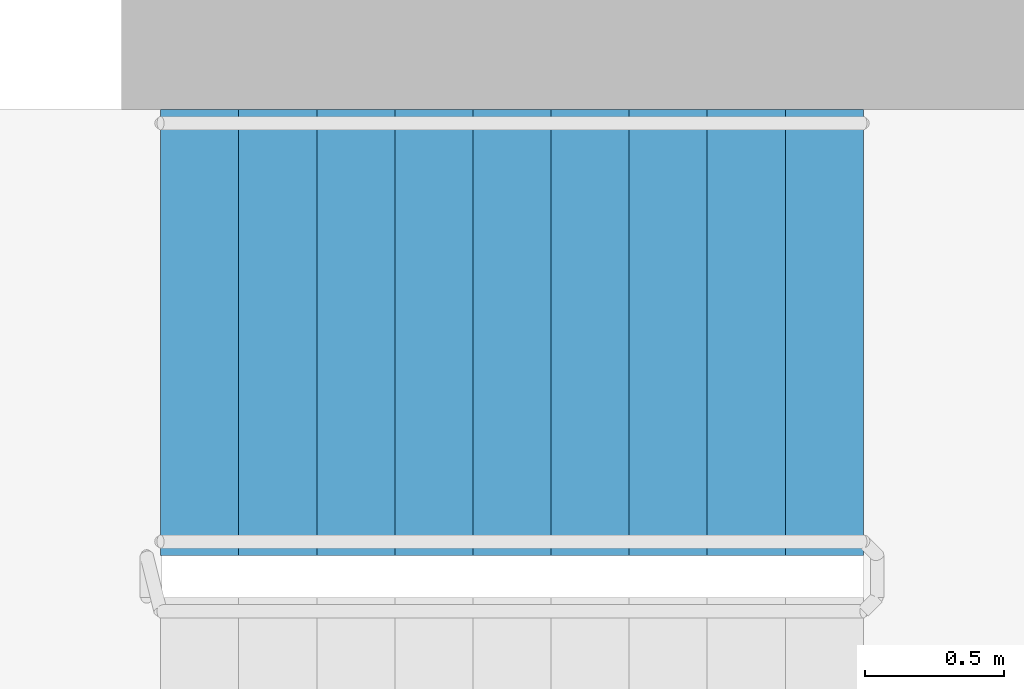
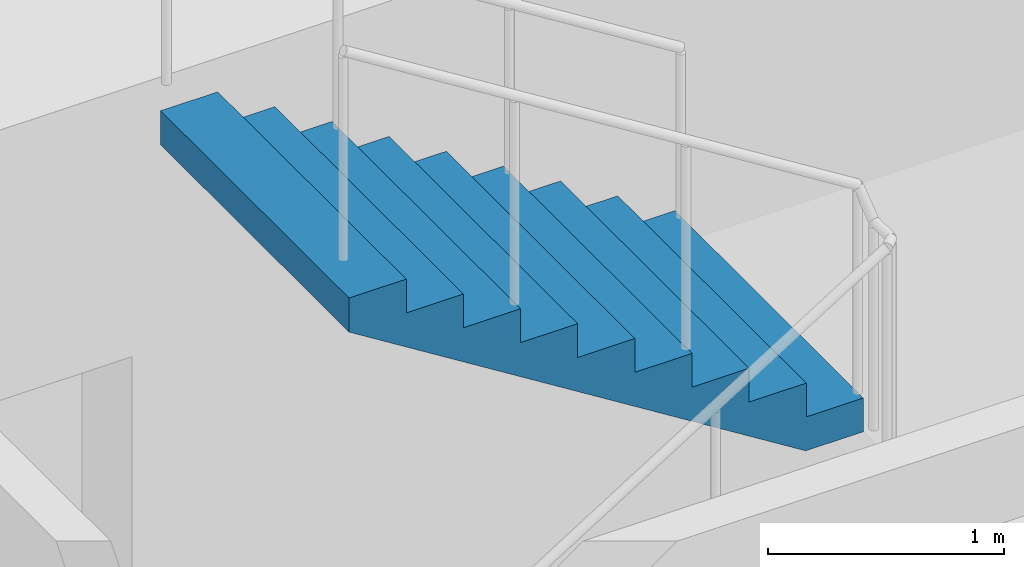
# One storey, part 23 of 27: 1 stair flight, 1 element without a shape of its own.
"""IFC4 building model written with IfcOpenShell, lengths in metres."""

import ifcopenshell
import ifcopenshell.guid

model = None  # the IFC model being written
_history = None  # IfcOwnerHistory: only IFC2X3 demands one
_inside = {}  # id of a spatial element -> (the spatial element, [elements in it])
_under = {}  # id of a project, library or spatial element -> (it, [spatial elements below it])
_declared = {}  # id of a project -> (the project, [libraries it declares])
_typed = {}  # id of a type object -> (the type object, [elements of that type])
_made_of = {}  # id of a material, layer set ... -> (it, [elements and type objects made of it])


def new_model(schema):
    """Start an empty IFC model of exactly this schema.

    Asked for "IFC4X3", IfcOpenShell would pick the latest addendum, in which some entities
    have other attributes; the version numbers below select the first issue.
    IFC2X3 requires an IfcOwnerHistory on every rooted entity: one is made here for all.
    """
    global model, _history
    if schema == "IFC4X3":
        model = ifcopenshell.file(schema_version=(4, 3, 0, 0))
    else:
        model = ifcopenshell.file(schema=schema)
    _inside.clear()
    _under.clear()
    _declared.clear()
    _typed.clear()
    _made_of.clear()
    _history = None
    if model.schema == "IFC2X3":
        org = make("IfcOrganization", Name="unknown")
        user = make(
            "IfcPersonAndOrganization",
            ThePerson=make("IfcPerson", FamilyName="unknown"),
            TheOrganization=org,
        )
        app = make(
            "IfcApplication",
            ApplicationDeveloper=org,
            Version="unknown",
            ApplicationFullName="unknown",
            ApplicationIdentifier="unknown",
        )
        _history = make(
            "IfcOwnerHistory",
            OwningUser=user,
            OwningApplication=app,
            ChangeAction="ADDED",
            CreationDate=0,
        )
    return model


def make(cls, **values):
    """One entity of the class cls with the attributes given. An attribute that is None is left unset."""
    return model.create_entity(
        cls, **{name: value for name, value in values.items() if value is not None}
    )


def rooted(cls, **values):
    """An entity with a GlobalId (a new one), such as an element, a storey or a relation."""
    return make(cls, GlobalId=ifcopenshell.guid.new(), OwnerHistory=_history, **values)


def si_unit(unit_type, name, prefix=None):
    """IfcSIUnit, for example si_unit("LENGTHUNIT", "METRE", prefix="MILLI")."""
    return make("IfcSIUnit", UnitType=unit_type, Prefix=prefix, Name=name)


def assignment(units):
    """IfcUnitAssignment: the units of a project."""
    return None if units is None else make("IfcUnitAssignment", Units=units)


def point(xyz):
    """IfcCartesianPoint."""
    return None if xyz is None else make("IfcCartesianPoint", Coordinates=xyz)


def direction(xyz):
    """IfcDirection."""
    return None if xyz is None else make("IfcDirection", DirectionRatios=xyz)


def frame(location, z_axis=None, x_axis=None):
    """IfcAxis2Placement3D, a coordinate frame: its origin and axes. An axis left out is left unset."""
    return make(
        "IfcAxis2Placement3D",
        Location=point(location),
        Axis=direction(z_axis),
        RefDirection=direction(x_axis),
    )


def origin():
    """The frame at (0, 0, 0) with its axes left unset."""
    return frame((0.0, 0.0, 0.0))


def place(relative_to, where):
    """IfcLocalPlacement: puts the frame where relative to a parent placement (None: the world)."""
    return make(
        "IfcLocalPlacement", PlacementRelTo=relative_to, RelativePlacement=where
    )


def context(
    kind, dimensions, precision=None, world=None, true_north=None, identifier=None
):
    """IfcGeometricRepresentationContext, for example the 3D "Model" context."""
    return make(
        "IfcGeometricRepresentationContext",
        ContextIdentifier=identifier,
        ContextType=kind,
        CoordinateSpaceDimension=dimensions,
        Precision=precision,
        WorldCoordinateSystem=world,
        TrueNorth=true_north,
    )


def subcontext(parent, identifier, kind, view, scale=None):
    """IfcGeometricRepresentationSubContext, for example "Body" below "Model"."""
    return make(
        "IfcGeometricRepresentationSubContext",
        ContextIdentifier=identifier,
        ContextType=kind,
        ParentContext=parent,
        TargetScale=scale,
        TargetView=view,
    )


def project(units=None, contexts=None):
    """IfcProject with its units and contexts."""
    return rooted(
        "IfcProject",
        Name="project",
        RepresentationContexts=contexts,
        UnitsInContext=assignment(units),
    )


def spatial(cls, under=None, at=None, **own):
    """A site, building, storey or space (cls), placed at a placement, below another one or the project."""
    s = rooted(cls, ObjectPlacement=at, **own)
    if under is not None:
        _under.setdefault(under.id(), (under, []))[1].append(s)
    return s


def polyline(points):
    """IfcPolyline through the points."""
    return make("IfcPolyline", Points=[point(p) for p in points])


def outline(outer, holes=None, kind="AREA"):
    """IfcArbitraryClosedProfileDef: a profile drawn as a closed curve; with holes, ...WithVoids."""
    if holes is None:
        return make("IfcArbitraryClosedProfileDef", ProfileType=kind, OuterCurve=outer)
    return make(
        "IfcArbitraryProfileDefWithVoids",
        ProfileType=kind,
        OuterCurve=outer,
        InnerCurves=holes,
    )


def extrude(swept, where, along, depth):
    """IfcExtrudedAreaSolid: the profile swept, set in the frame where, extruded along a direction by depth."""
    return make(
        "IfcExtrudedAreaSolid",
        SweptArea=swept,
        Position=where,
        ExtrudedDirection=direction(along),
        Depth=depth,
    )


def shape(context_of_items, identifier, shape_type, items):
    """IfcShapeRepresentation: the items that make up one representation, for example the "Body"."""
    return make(
        "IfcShapeRepresentation",
        ContextOfItems=context_of_items,
        RepresentationIdentifier=identifier,
        RepresentationType=shape_type,
        Items=items,
    )


def material(Name=None, Category=None):
    """IfcMaterial."""
    return make("IfcMaterial", Name=Name, Category=Category)


def made_of(thing, what):
    """Note that an element or type object is made of a material, layer set ...; save() writes the relation."""
    if what is not None:
        _made_of.setdefault(what.id(), (what, []))[1].append(thing)
    return thing


def type_object(cls, material=None, **own):
    """A type object (cls), such as IfcWallType, which elements share."""
    return made_of(rooted(cls, **own), material)


def element(
    cls,
    number,
    at=None,
    inside=None,
    cuts=None,
    type_object=None,
    material=None,
    context=None,
    identifier="Body",
    shape_type=None,
    held_by="IfcProductDefinitionShape",
    body=None,
    shapes=None,
    **own,
):
    """One element of the class cls, such as IfcWall. Its Tag is "e" and its number.

    at: its placement. inside: the storey or other place that contains it. cuts: it is an
    opening in that element (IfcRelVoidsElement). A single representation is given by context,
    identifier, shape_type and body (its items); several are given by shapes. held_by: the class
    of the entity that holds the representations. save() writes the other relations.
    """
    e = rooted(cls, Tag="e%d" % number, ObjectPlacement=at, **own)
    if body is not None:
        shapes = [shape(context, identifier, shape_type, body)]
    if shapes is not None:
        e.Representation = make(held_by, Representations=shapes)
    if inside is not None:
        _inside.setdefault(inside.id(), (inside, []))[1].append(e)
    if cuts is not None:
        rooted(
            "IfcRelVoidsElement", RelatingBuildingElement=cuts, RelatedOpeningElement=e
        )
    if type_object is not None:
        _typed.setdefault(type_object.id(), (type_object, []))[1].append(e)
    return made_of(e, material)


def aggregate(whole, parts):
    """IfcRelAggregates: a whole, such as a stair, and the parts it consists of."""
    return rooted("IfcRelAggregates", RelatingObject=whole, RelatedObjects=parts)


def save(model, path):
    """Write the relations noted so far, then the file.

    IfcRelAggregates (storeys below a building ...), IfcRelContainedInSpatialStructure (elements
    in a storey), IfcRelDefinesByType, IfcRelAssociatesMaterial and IfcRelDeclares: one each for
    every whole, place, type object, material and project.
    """
    for whole, parts in _under.values():
        aggregate(whole, parts)
    for where, things in _inside.values():
        rooted(
            "IfcRelContainedInSpatialStructure",
            RelatedElements=things,
            RelatingStructure=where,
        )
    for kind, things in _typed.values():
        rooted("IfcRelDefinesByType", RelatedObjects=things, RelatingType=kind)
    for what, things in _made_of.values():
        rooted("IfcRelAssociatesMaterial", RelatedObjects=things, RelatingMaterial=what)
    for by, libraries in _declared.values():
        rooted("IfcRelDeclares", RelatingContext=by, RelatedDefinitions=libraries)
    model.write(path)


model = new_model("IFC4")

# Units and contexts
model_context = context("Model", 3, precision=1e-05, world=origin(), true_north=direction((0.0, 1.0)))
body_context = subcontext(model_context, "Body", "Model", "MODEL_VIEW")
ifc_project = project(units=[si_unit("LENGTHUNIT", "METRE"), si_unit("AREAUNIT", "SQUARE_METRE"), si_unit("VOLUMEUNIT", "CUBIC_METRE"), si_unit("PLANEANGLEUNIT", "RADIAN"), si_unit("MASSUNIT", "GRAM", prefix="KILO")], contexts=[model_context])

# Site, building, storey
site_placement = place(None, origin())
site = spatial("IfcSite", under=ifc_project, at=site_placement, CompositionType="ELEMENT")
building_placement = place(site_placement, origin())
building = spatial("IfcBuilding", under=site, at=building_placement, Name="Orlundy Tower", CompositionType="ELEMENT")
storey_placement = place(building_placement, frame((0.0, 0.0, 199.10009765625)))
storey = spatial("IfcBuildingStorey", under=building, at=storey_placement, Name="L52", CompositionType="ELEMENT", Elevation=199.10009765625)

# Stair, stair flight
ifc_material_1 = material(Name="Concrete C50/60", Category="concrete")
stair_type = type_object("IfcStairType", Name="Exit Stair 20 risers", PredefinedType="HALF_TURN_STAIR", material=ifc_material_1)
stair_placement = place(storey_placement, origin())
stair = element("IfcStair", 1, at=stair_placement, inside=storey, type_object=stair_type, Name="L52 Exit Stair ST-E2", PredefinedType="HALF_TURN_STAIR")
ifc_material_2 = material(Name="Concrete C50/60", Category="concrete")
stair_flight_type = type_object("IfcStairFlightType", Name="Stair Flight 10 risers", PredefinedType="STRAIGHT", material=ifc_material_2)
stair_flight_placement = place(storey_placement, frame((15.659912109375, 10.300048828125, 1.75), z_axis=(0.0, 0.0, 1.0), x_axis=(-1.0, 0.0, 0.0)))
stair_flight = element("IfcStairFlight", 2, at=stair_flight_placement, type_object=stair_flight_type, Name="ST-E2 flight 2", NumberOfRisers=10, NumberOfTreads=9, PredefinedType="STRAIGHT", RiserHeight=0.175, TreadLength=0.28, context=body_context, shape_type="SweptSolid", body=[
    extrude(outline(polyline([(0.0, 0.0), (0.0, 0.175048828125), (0.280029296875, 0.175048828125), (0.280029296875, 0.35009765625), (0.56005859375, 0.35009765625), (0.56005859375, 0.52490234375), (0.840087890625, 0.52490234375), (0.840087890625, 0.699951171875), (1.1201171875, 0.699951171875), (1.1201171875, 0.875), (1.39990234375, 0.875), (1.39990234375, 1.050048828125), (1.679931640625, 1.050048828125), (1.679931640625, 1.22509765625), (1.9599609375, 1.22509765625), (1.9599609375, 1.39990234375), (2.239990234375, 1.39990234375), (2.239990234375, 1.574951171875), (2.52001953125, 1.574951171875), (2.52001953125, 1.75), (2.52001953125, 1.398193359375), (0.28271484375, 0.0), (0.0, 0.0)])), frame((0.0, 0.800048828125, 0.0), z_axis=(0.0, -1.0, 0.0), x_axis=(1.0, 0.0, 0.0)), (0.0, 0.0, 1.0), 1.60009765625),
])
aggregate(stair, [stair_flight])

save(model, "model.ifc")
